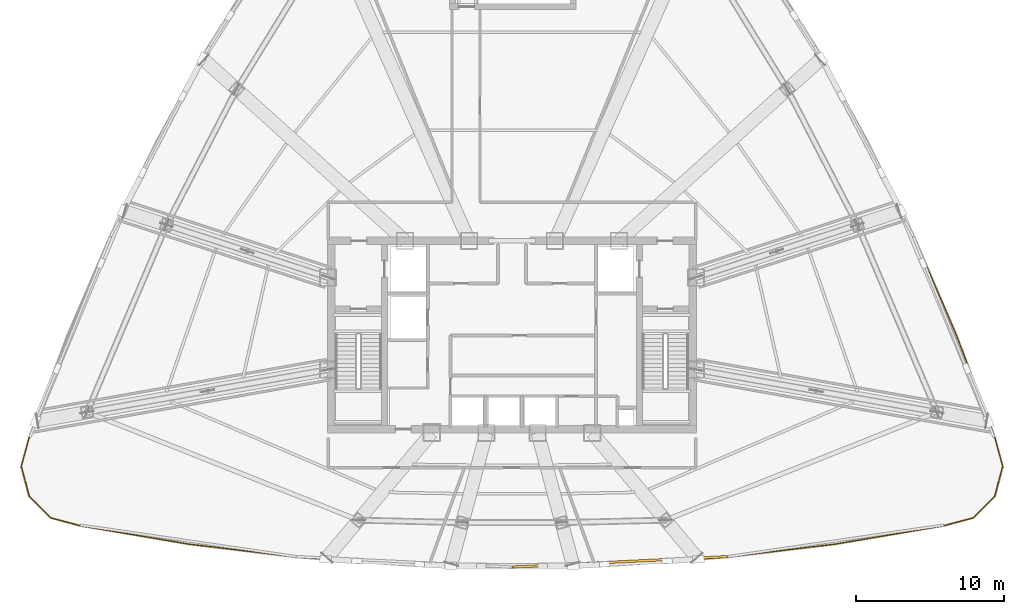
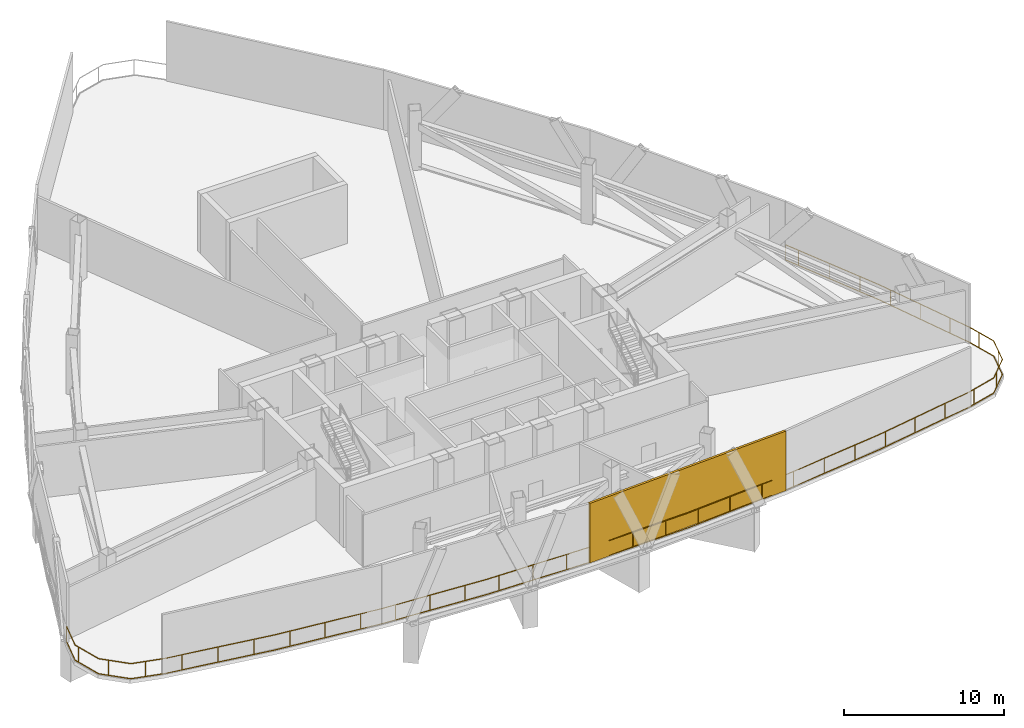
# One storey, part 11 of 13: 1 railing, 1 shading device.
"""IFC4 building model written with IfcOpenShell, lengths in metres."""

from ifc_helpers import new_model, si_unit, direction, frame, origin, origin_2d, place, context, subcontext, project, spatial, rectangle, extrude, source, transform, mapped, material, layer, layer_set, type_object, element, save


model = new_model("IFC4")

# Units and contexts
model_context = context("Model", 3, precision=1e-05, world=origin(), true_north=direction((0.0, 1.0)))
body_context = subcontext(model_context, "Body", "Model", "MODEL_VIEW")
ifc_project = project(units=[si_unit("LENGTHUNIT", "METRE"), si_unit("AREAUNIT", "SQUARE_METRE"), si_unit("VOLUMEUNIT", "CUBIC_METRE"), si_unit("PLANEANGLEUNIT", "RADIAN"), si_unit("MASSUNIT", "GRAM", prefix="KILO"), si_unit("THERMODYNAMICTEMPERATUREUNIT", "KELVIN"), si_unit("POWERUNIT", "WATT")], contexts=[model_context])

# Site, building, storey
site_placement = place(None, origin())
site = spatial("IfcSite", under=ifc_project, at=site_placement, CompositionType="ELEMENT")
building_placement = place(site_placement, origin())
building = spatial("IfcBuilding", under=site, at=building_placement, Name="Yunzhuo Pagoda Commons", CompositionType="ELEMENT")
storey_placement = place(building_placement, frame((0.0, 0.0, 272.760009765625)))
storey = spatial("IfcBuildingStorey", under=building, at=storey_placement, Name="L68", CompositionType="ELEMENT", Elevation=272.760009765625)

# Railing
ifc_material = material(Name="Anodized aluminium 6063-T6", Category="aluminium")
railing_type = type_object("IfcRailingType", Name="RL-PRT1 Wind Portal & Refuge Guardrail 1200", PredefinedType="GUARDRAIL", material=ifc_material)
railing_placement = place(storey_placement, frame((15.455322265625, 27.020263671875, 0.0)))
element("IfcRailing", 1, at=railing_placement, inside=storey, type_object=railing_type, Name="L68 refuge perimeter guardrail A", PredefinedType="GUARDRAIL", context=body_context, shape_type="SweptSolid", body=[
    extrude(rectangle(XDim=0.048095703125, YDim=0.048095703125, at=origin_2d()), frame((0.0, 0.0, 1.17578125), z_axis=(-0.264175568256, -0.964474607824, 0.0), x_axis=(0.964474607824, -0.264175568256, 0.0)), (0.0, 0.0, 1.0), 2.088623046875),
    extrude(rectangle(XDim=0.048095703125, YDim=0.048095703125, at=origin_2d()), frame((0.0, 0.0, 0.02392578125), z_axis=(-0.264175568256, -0.964474607824, 0.0), x_axis=(0.964474607824, -0.264175568256, 0.0)), (0.0, 0.0, 1.0), 2.088623046875),
    extrude(rectangle(XDim=0.048095703125, YDim=0.048095703125, at=origin_2d()), frame((-0.5517578125, -2.014404296875, 1.17578125), z_axis=(0.255316827254, -0.966857444363, 0.0), x_axis=(0.966857444363, 0.255316827254, 0.0)), (0.0, 0.0, 1.0), 2.08642578125),
    extrude(rectangle(XDim=0.048095703125, YDim=0.048095703125, at=origin_2d()), frame((-0.5517578125, -2.014404296875, 0.02392578125), z_axis=(0.255316827254, -0.966857444363, 0.0), x_axis=(0.966857444363, 0.255316827254, 0.0)), (0.0, 0.0, 1.0), 2.08642578125),
    extrude(rectangle(XDim=0.048095703125, YDim=0.048095703125, at=origin_2d()), frame((-0.01904296875, -4.03173828125, 1.17578125), z_axis=(0.706287219553, -0.707925394018, 0.0), x_axis=(0.707925394018, 0.706287219553, 0.0)), (0.0, 0.0, 1.0), 2.08642578125),
    extrude(rectangle(XDim=0.048095703125, YDim=0.048095703125, at=origin_2d()), frame((-0.01904296875, -4.03173828125, 0.02392578125), z_axis=(0.706287219553, -0.707925394018, 0.0), x_axis=(0.707925394018, 0.706287219553, 0.0)), (0.0, 0.0, 1.0), 2.08642578125),
    extrude(rectangle(XDim=0.048095703125, YDim=0.048095703125, at=origin_2d()), frame((1.45458984375, -5.5087890625, 1.17578125), z_axis=(0.966118433293, -0.258099153141, 0.0), x_axis=(0.258099153141, 0.966118433293, 0.0)), (0.0, 0.0, 1.0), 2.088623046875),
    extrude(rectangle(XDim=0.048095703125, YDim=0.048095703125, at=origin_2d()), frame((1.45458984375, -5.5087890625, 0.02392578125), z_axis=(0.966118433293, -0.258099153141, 0.0), x_axis=(0.258099153141, 0.966118433293, 0.0)), (0.0, 0.0, 1.0), 2.088623046875),
    extrude(rectangle(XDim=0.048095703125, YDim=0.048095703125, at=origin_2d()), frame((3.472412109375, -6.0478515625, 1.17578125), z_axis=(0.986054801608, -0.166420936861, 0.0), x_axis=(0.166420936861, 0.986054801608, 0.0)), (0.0, 0.0, 1.0), 7.380615234375),
    extrude(rectangle(XDim=0.048095703125, YDim=0.048095703125, at=origin_2d()), frame((3.472412109375, -6.0478515625, 0.02392578125), z_axis=(0.986054801608, -0.166420936861, 0.0), x_axis=(0.166420936861, 0.986054801608, 0.0)), (0.0, 0.0, 1.0), 7.380615234375),
    extrude(rectangle(XDim=0.048095703125, YDim=0.048095703125, at=origin_2d()), frame((10.75, -7.276123046875, 1.17578125), z_axis=(0.992865318897, -0.119241178005, 0.0), x_axis=(0.119241178005, 0.992865318897, 0.0)), (0.0, 0.0, 1.0), 7.32373046875),
    extrude(rectangle(XDim=0.048095703125, YDim=0.048095703125, at=origin_2d()), frame((10.75, -7.276123046875, 0.02392578125), z_axis=(0.992865318897, -0.119241178005, 0.0), x_axis=(0.119241178005, 0.992865318897, 0.0)), (0.0, 0.0, 1.0), 7.32373046875),
    extrude(rectangle(XDim=0.048095703125, YDim=0.048095703125, at=origin_2d()), frame((18.021484375, -8.1494140625, 1.17578125), z_axis=(0.997440631374, -0.071499558634, 0.0), x_axis=(0.071499558634, 0.997440631374, 0.0)), (0.0, 0.0, 1.0), 7.283203125),
    extrude(rectangle(XDim=0.048095703125, YDim=0.048095703125, at=origin_2d()), frame((18.021484375, -8.1494140625, 0.02392578125), z_axis=(0.997440631374, -0.071499558634, 0.0), x_axis=(0.071499558634, 0.997440631374, 0.0)), (0.0, 0.0, 1.0), 7.283203125),
    extrude(rectangle(XDim=0.048095703125, YDim=0.048095703125, at=origin_2d()), frame((25.2861328125, -8.670166015625, 1.17578125), z_axis=(0.99971657848, -0.023806778701, 0.0), x_axis=(0.023806778701, 0.99971657848, 0.0)), (0.0, 0.0, 1.0), 7.260498046875),
    extrude(rectangle(XDim=0.048095703125, YDim=0.048095703125, at=origin_2d()), frame((25.2861328125, -8.670166015625, 0.02392578125), z_axis=(0.99971657848, -0.023806778701, 0.0), x_axis=(0.023806778701, 0.99971657848, 0.0)), (0.0, 0.0, 1.0), 7.260498046875),
    extrude(rectangle(XDim=0.048095703125, YDim=0.048095703125, at=origin_2d()), frame((32.544677734375, -8.843017578125, 1.17578125), z_axis=(0.99971657848, 0.023806778701, 0.0), x_axis=(-0.023806778701, 0.99971657848, 0.0)), (0.0, 0.0, 1.0), 7.260498046875),
    extrude(rectangle(XDim=0.048095703125, YDim=0.048095703125, at=origin_2d()), frame((32.544677734375, -8.843017578125, 0.02392578125), z_axis=(0.99971657848, 0.023806778701, 0.0), x_axis=(-0.023806778701, 0.99971657848, 0.0)), (0.0, 0.0, 1.0), 7.260498046875),
    extrude(rectangle(XDim=0.048095703125, YDim=0.048095703125, at=origin_2d()), frame((39.80322265625, -8.670166015625, 1.17578125), z_axis=(0.997440631374, 0.071499558634, 0.0), x_axis=(-0.071499558634, 0.997440631374, 0.0)), (0.0, 0.0, 1.0), 7.283203125),
    extrude(rectangle(XDim=0.048095703125, YDim=0.048095703125, at=origin_2d()), frame((39.80322265625, -8.670166015625, 0.02392578125), z_axis=(0.997440631374, 0.071499558634, 0.0), x_axis=(-0.071499558634, 0.997440631374, 0.0)), (0.0, 0.0, 1.0), 7.283203125),
    extrude(rectangle(XDim=0.048095703125, YDim=0.048095703125, at=origin_2d()), frame((47.06787109375, -8.1494140625, 1.17578125), z_axis=(0.992865792853, 0.119237231527, 0.0), x_axis=(-0.119237231527, 0.992865792853, 0.0)), (0.0, 0.0, 1.0), 7.323974609375),
    extrude(rectangle(XDim=0.048095703125, YDim=0.048095703125, at=origin_2d()), frame((47.06787109375, -8.1494140625, 0.02392578125), z_axis=(0.992865792853, 0.119237231527, 0.0), x_axis=(-0.119237231527, 0.992865792853, 0.0)), (0.0, 0.0, 1.0), 7.323974609375),
    extrude(rectangle(XDim=0.048095703125, YDim=0.048095703125, at=origin_2d()), frame((54.339599609375, -7.276123046875, 1.17578125), z_axis=(0.986053885407, 0.166426365321, 0.0), x_axis=(-0.166426365321, 0.986053885407, 0.0)), (0.0, 0.0, 1.0), 7.38037109375),
    extrude(rectangle(XDim=0.048095703125, YDim=0.048095703125, at=origin_2d()), frame((54.339599609375, -7.276123046875, 0.02392578125), z_axis=(0.986053885407, 0.166426365321, 0.0), x_axis=(-0.166426365321, 0.986053885407, 0.0)), (0.0, 0.0, 1.0), 7.38037109375),
    extrude(rectangle(XDim=0.048095703125, YDim=0.048095703125, at=origin_2d()), frame((61.616943359375, -6.0478515625, 1.17578125), z_axis=(0.966118433293, 0.258099153141, 0.0), x_axis=(-0.258099153141, 0.966118433293, 0.0)), (0.0, 0.0, 1.0), 2.088623046875),
    extrude(rectangle(XDim=0.048095703125, YDim=0.048095703125, at=origin_2d()), frame((61.616943359375, -6.0478515625, 0.02392578125), z_axis=(0.966118433293, 0.258099153141, 0.0), x_axis=(-0.258099153141, 0.966118433293, 0.0)), (0.0, 0.0, 1.0), 2.088623046875),
    extrude(rectangle(XDim=0.048095703125, YDim=0.048095703125, at=origin_2d()), frame((63.634765625, -5.5087890625, 1.17578125), z_axis=(0.706287219553, 0.707925394018, 0.0), x_axis=(-0.707925394018, 0.706287219553, 0.0)), (0.0, 0.0, 1.0), 2.08642578125),
    extrude(rectangle(XDim=0.048095703125, YDim=0.048095703125, at=origin_2d()), frame((63.634765625, -5.5087890625, 0.02392578125), z_axis=(0.706287219553, 0.707925394018, 0.0), x_axis=(-0.707925394018, 0.706287219553, 0.0)), (0.0, 0.0, 1.0), 2.08642578125),
    extrude(rectangle(XDim=0.048095703125, YDim=0.048095703125, at=origin_2d()), frame((65.1083984375, -4.03173828125, 1.17578125), z_axis=(0.255316827254, 0.966857444363, 0.0), x_axis=(-0.966857444363, 0.255316827254, 0.0)), (0.0, 0.0, 1.0), 2.08642578125),
    extrude(rectangle(XDim=0.048095703125, YDim=0.048095703125, at=origin_2d()), frame((65.1083984375, -4.03173828125, 0.02392578125), z_axis=(0.255316827254, 0.966857444363, 0.0), x_axis=(-0.966857444363, 0.255316827254, 0.0)), (0.0, 0.0, 1.0), 2.08642578125),
    extrude(rectangle(XDim=0.048095703125, YDim=0.048095703125, at=origin_2d()), frame((65.64111328125, -2.014404296875, 1.17578125), z_axis=(-0.264175568256, 0.964474607824, 0.0), x_axis=(-0.964474607824, -0.264175568256, 0.0)), (0.0, 0.0, 1.0), 2.088623046875),
    extrude(rectangle(XDim=0.048095703125, YDim=0.048095703125, at=origin_2d()), frame((65.64111328125, -2.014404296875, 0.02392578125), z_axis=(-0.264175568256, 0.964474607824, 0.0), x_axis=(-0.964474607824, -0.264175568256, 0.0)), (0.0, 0.0, 1.0), 2.088623046875),
    extrude(rectangle(XDim=0.048095703125, YDim=0.048095703125, at=origin_2d()), frame((65.08935546875, 0.0, 1.17578125), z_axis=(-0.352062422105, 0.935976522644, 0.0), x_axis=(-0.935976522644, -0.352062422105, 0.0)), (0.0, 0.0, 1.0), 7.321533203125),
    extrude(rectangle(XDim=0.048095703125, YDim=0.048095703125, at=origin_2d()), frame((65.08935546875, 0.0, 0.02392578125), z_axis=(-0.352062422105, 0.935976522644, 0.0), x_axis=(-0.935976522644, -0.352062422105, 0.0)), (0.0, 0.0, 1.0), 7.321533203125),
    extrude(rectangle(XDim=0.048095703125, YDim=0.048095703125, at=origin_2d()), frame((62.51171875, 6.852783203125, 1.17578125), z_axis=(-0.396647149188, 0.917971153709, 0.0), x_axis=(-0.917971153709, -0.396647149188, 0.0)), (0.0, 0.0, 1.0), 7.264892578125),
    extrude(rectangle(XDim=0.048095703125, YDim=0.048095703125, at=origin_2d()), frame((62.51171875, 6.852783203125, 0.02392578125), z_axis=(-0.396647149188, 0.917971153709, 0.0), x_axis=(-0.917971153709, -0.396647149188, 0.0)), (0.0, 0.0, 1.0), 7.264892578125),
    extrude(rectangle(XDim=0.0419921875, YDim=0.0419921875, at=origin_2d()), origin(), (0.0, 0.0, 1.0), 1.15185546875),
    extrude(rectangle(XDim=0.0419921875, YDim=0.0419921875, at=origin_2d()), frame((-0.47216796875, -2.3154296875, 0.0)), (0.0, 0.0, 1.0), 1.15185546875),
    extrude(rectangle(XDim=0.0419921875, YDim=0.0419921875, at=origin_2d()), frame((0.42236328125, -4.47412109375, 0.0)), (0.0, 0.0, 1.0), 1.15185546875),
    extrude(rectangle(XDim=0.0419921875, YDim=0.0419921875, at=origin_2d()), frame((2.361328125, -5.7509765625, 0.0)), (0.0, 0.0, 1.0), 1.15185546875),
    extrude(rectangle(XDim=0.0419921875, YDim=0.0419921875, at=origin_2d()), frame((4.704833984375, -6.255859375, 0.0)), (0.0, 0.0, 1.0), 1.15185546875),
    extrude(rectangle(XDim=0.0419921875, YDim=0.0419921875, at=origin_2d()), frame((7.0712890625, -6.6552734375, 0.0)), (0.0, 0.0, 1.0), 1.15185546875),
    extrude(rectangle(XDim=0.0419921875, YDim=0.0419921875, at=origin_2d()), frame((9.43798828125, -7.0546875, 0.0)), (0.0, 0.0, 1.0), 1.15185546875),
    extrude(rectangle(XDim=0.0419921875, YDim=0.0419921875, at=origin_2d()), frame((11.811767578125, -7.403564453125, 0.0)), (0.0, 0.0, 1.0), 1.15185546875),
    extrude(rectangle(XDim=0.0419921875, YDim=0.0419921875, at=origin_2d()), frame((14.194580078125, -7.689697265625, 0.0)), (0.0, 0.0, 1.0), 1.15185546875),
    extrude(rectangle(XDim=0.0419921875, YDim=0.0419921875, at=origin_2d()), frame((16.577392578125, -7.97607421875, 0.0)), (0.0, 0.0, 1.0), 1.15185546875),
    extrude(rectangle(XDim=0.0419921875, YDim=0.0419921875, at=origin_2d()), frame((18.964599609375, -8.217041015625, 0.0)), (0.0, 0.0, 1.0), 1.15185546875),
    extrude(rectangle(XDim=0.0419921875, YDim=0.0419921875, at=origin_2d()), frame((21.358642578125, -8.388671875, 0.0)), (0.0, 0.0, 1.0), 1.15185546875),
    extrude(rectangle(XDim=0.0419921875, YDim=0.0419921875, at=origin_2d()), frame((23.75244140625, -8.560302734375, 0.0)), (0.0, 0.0, 1.0), 1.15185546875),
    extrude(rectangle(XDim=0.0419921875, YDim=0.0419921875, at=origin_2d()), frame((26.148193359375, -8.690673828125, 0.0)), (0.0, 0.0, 1.0), 1.15185546875),
    extrude(rectangle(XDim=0.0419921875, YDim=0.0419921875, at=origin_2d()), frame((28.547607421875, -8.747802734375, 0.0)), (0.0, 0.0, 1.0), 1.15185546875),
    extrude(rectangle(XDim=0.0419921875, YDim=0.0419921875, at=origin_2d()), frame((30.94677734375, -8.804931640625, 0.0)), (0.0, 0.0, 1.0), 1.15185546875),
    extrude(rectangle(XDim=0.0419921875, YDim=0.0419921875, at=origin_2d()), frame((33.34619140625, -8.823974609375, 0.0)), (0.0, 0.0, 1.0), 1.15185546875),
    extrude(rectangle(XDim=0.0419921875, YDim=0.0419921875, at=origin_2d()), frame((35.74560546875, -8.766845703125, 0.0)), (0.0, 0.0, 1.0), 1.15185546875),
    extrude(rectangle(XDim=0.0419921875, YDim=0.0419921875, at=origin_2d()), frame((38.144775390625, -8.709716796875, 0.0)), (0.0, 0.0, 1.0), 1.15185546875),
    extrude(rectangle(XDim=0.0419921875, YDim=0.0419921875, at=origin_2d()), frame((40.54248046875, -8.6171875, 0.0)), (0.0, 0.0, 1.0), 1.15185546875),
    extrude(rectangle(XDim=0.0419921875, YDim=0.0419921875, at=origin_2d()), frame((42.936279296875, -8.445556640625, 0.0)), (0.0, 0.0, 1.0), 1.15185546875),
    extrude(rectangle(XDim=0.0419921875, YDim=0.0419921875, at=origin_2d()), frame((45.330078125, -8.27392578125, 0.0)), (0.0, 0.0, 1.0), 1.15185546875),
    extrude(rectangle(XDim=0.0419921875, YDim=0.0419921875, at=origin_2d()), frame((47.720947265625, -8.071044921875, 0.0)), (0.0, 0.0, 1.0), 1.15185546875),
    extrude(rectangle(XDim=0.0419921875, YDim=0.0419921875, at=origin_2d()), frame((50.10400390625, -7.784912109375, 0.0)), (0.0, 0.0, 1.0), 1.15185546875),
    extrude(rectangle(XDim=0.0419921875, YDim=0.0419921875, at=origin_2d()), frame((52.48681640625, -7.49853515625, 0.0)), (0.0, 0.0, 1.0), 1.15185546875),
    extrude(rectangle(XDim=0.0419921875, YDim=0.0419921875, at=origin_2d()), frame((54.865966796875, -7.187255859375, 0.0)), (0.0, 0.0, 1.0), 1.15185546875),
    extrude(rectangle(XDim=0.0419921875, YDim=0.0419921875, at=origin_2d()), frame((57.232666015625, -6.787841796875, 0.0)), (0.0, 0.0, 1.0), 1.15185546875),
    extrude(rectangle(XDim=0.0419921875, YDim=0.0419921875, at=origin_2d()), frame((59.59912109375, -6.388427734375, 0.0)), (0.0, 0.0, 1.0), 1.15185546875),
    extrude(rectangle(XDim=0.0419921875, YDim=0.0419921875, at=origin_2d()), frame((61.95849609375, -5.95654296875, 0.0)), (0.0, 0.0, 1.0), 1.15185546875),
    extrude(rectangle(XDim=0.0419921875, YDim=0.0419921875, at=origin_2d()), frame((64.1044921875, -5.0380859375, 0.0)), (0.0, 0.0, 1.0), 1.15185546875),
    extrude(rectangle(XDim=0.0419921875, YDim=0.0419921875, at=origin_2d()), frame((65.358154296875, -3.085693359375, 0.0)), (0.0, 0.0, 1.0), 1.15185546875),
    extrude(rectangle(XDim=0.0419921875, YDim=0.0419921875, at=origin_2d()), frame((65.2998046875, -0.768310546875, 0.0)), (0.0, 0.0, 1.0), 1.15185546875),
    extrude(rectangle(XDim=0.0419921875, YDim=0.0419921875, at=origin_2d()), frame((64.52490234375, 1.500732421875, 0.0)), (0.0, 0.0, 1.0), 1.15185546875),
    extrude(rectangle(XDim=0.0419921875, YDim=0.0419921875, at=origin_2d()), frame((63.679931640625, 3.7470703125, 0.0)), (0.0, 0.0, 1.0), 1.15185546875),
    extrude(rectangle(XDim=0.0419921875, YDim=0.0419921875, at=origin_2d()), frame((62.8349609375, 5.993408203125, 0.0)), (0.0, 0.0, 1.0), 1.15185546875),
    extrude(rectangle(XDim=0.0419921875, YDim=0.0419921875, at=origin_2d()), frame((61.923828125, 8.213134765625, 0.0)), (0.0, 0.0, 1.0), 1.15185546875),
    extrude(rectangle(XDim=0.0419921875, YDim=0.0419921875, at=origin_2d()), frame((60.971923828125, 10.416259765625, 0.0)), (0.0, 0.0, 1.0), 1.15185546875),
    extrude(rectangle(XDim=0.0419921875, YDim=0.0419921875, at=origin_2d()), frame((60.02001953125, 12.619384765625, 0.0)), (0.0, 0.0, 1.0), 1.15185546875),
    extrude(rectangle(XDim=0.0419921875, YDim=0.0419921875, at=origin_2d()), frame((59.630126953125, 13.521728515625, 0.0)), (0.0, 0.0, 1.0), 1.15185546875),
])

# Shading device
ifc_layer = layer(ifc_material, 0.159912109375)
ifc_layer_set = layer_set([ifc_layer], Name="Anodized aluminium 6063-T6")
shading_device_type = type_object("IfcShadingDeviceType", Name="SH-SCR1 Stormproof Refuge Louvre Screen", PredefinedType="JALOUSIE", material=ifc_layer_set)
shared_shape = source(origin(), body_context, "Body", "SweptSolid", [
    extrude(rectangle(XDim=14.55419921875, YDim=0.159912109375, at=origin_2d()), origin(), (0.0, 0.0, 1.0), 4.5400390625),
])
shading_device_placement = place(storey_placement, frame((55.28271484375, 18.5517578125, 0.0), z_axis=(0.0, 0.0, 1.0), x_axis=(0.998818043775, 0.04860571396, 0.0)))
element("IfcShadingDevice", 2, at=shading_device_placement, inside=storey, type_object=shading_device_type, Name="L68 stormproof refuge louvre screen F1.3", PredefinedType="JALOUSIE", context=body_context, shape_type="MappedRepresentation", body=[
    mapped(shared_shape, transform((0.0, 0.0, 0.0), scale=1.0)),
])

save(model, "model.ifc")
